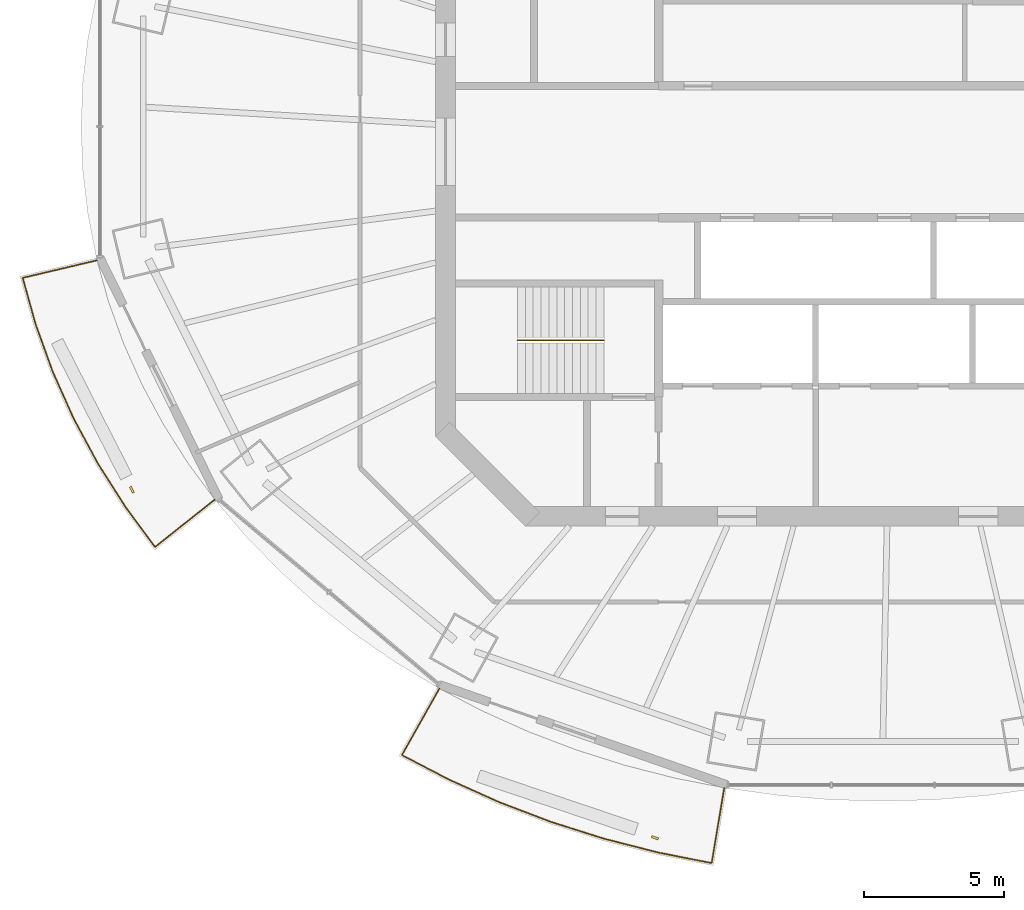
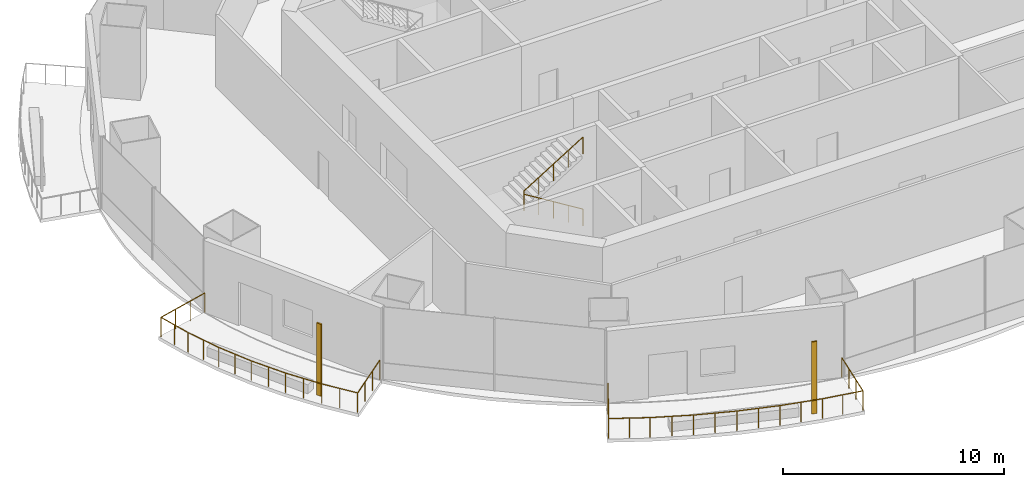
# One storey, part 12 of 16: 3 railings, 2 shading devices.
"""IFC4 building model written with IfcOpenShell, lengths in metres."""

from ifc_helpers import new_model, si_unit, direction, frame, origin, origin_2d, place, context, subcontext, project, spatial, rectangle, circle, extrude, material, material_profile, profile_set, type_object, element, save


model = new_model("IFC4")

# Units and contexts
model_context = context("Model", 3, precision=1e-05, world=origin(), true_north=direction((0.0, 1.0)))
body_context = subcontext(model_context, "Body", "Model", "MODEL_VIEW")
ifc_project = project(units=[si_unit("LENGTHUNIT", "METRE"), si_unit("AREAUNIT", "SQUARE_METRE"), si_unit("VOLUMEUNIT", "CUBIC_METRE"), si_unit("PLANEANGLEUNIT", "RADIAN"), si_unit("MASSUNIT", "GRAM", prefix="KILO")], contexts=[model_context])

# Site, building, storey
site_placement = place(None, origin())
site = spatial("IfcSite", under=ifc_project, at=site_placement, CompositionType="ELEMENT")
building_placement = place(site_placement, origin())
building = spatial("IfcBuilding", under=site, at=building_placement, Name="Marenthal Gate Tower", CompositionType="ELEMENT")
storey_placement = place(building_placement, frame((0.0, 0.0, 301.10009765625)))
storey = spatial("IfcBuildingStorey", under=building, at=storey_placement, Name="L67", CompositionType="ELEMENT", Elevation=301.10009765625)

# Railings
ifc_material_1 = material(Name="Stainless steel", Category="steel")
railing_type_1 = type_object("IfcRailingType", Name="Balcony guard 1100", PredefinedType="GUARDRAIL", material=ifc_material_1)
railing_1_placement = place(storey_placement, frame((-24.2265625, -12.4033203125, 0.0)))
element("IfcRailing", 1, at=railing_1_placement, inside=storey, type_object=railing_type_1, Name="Balcony guard L67 bay 9", PredefinedType="GUARDRAIL", context=body_context, shape_type="SweptSolid", body=[
    extrude(circle(Radius=0.02392578125, at=origin_2d()), frame((0.0, 0.0, 1.076171875), z_axis=(-0.783299764569, -0.621469871648, -0.014719968075), x_axis=(0.621537211848, -0.783384640064, 0.0)), (0.0, 0.0, 1.0), 2.719970703125),
    extrude(circle(Radius=0.02392578125, at=origin_2d()), frame((-2.130615234375, -1.6904296875, 1.0361328125), z_axis=(-0.593189639739, 0.80506276234, 0.0), x_axis=(-0.80506276234, -0.593189639739, 0.0)), (0.0, 0.0, 1.0), 1.772216796875),
    extrude(circle(Radius=0.02392578125, at=origin_2d()), frame((-3.181884765625, -0.263671875, 1.0361328125), z_axis=(-0.536179368299, 0.844104072381, 0.0), x_axis=(-0.844104072381, -0.536179368299, 0.0)), (0.0, 0.0, 1.0), 1.838623046875),
    extrude(circle(Radius=0.02392578125, at=origin_2d()), frame((-4.167724609375, 1.288330078125, 1.0361328125), z_axis=(-0.474067933151, 0.880488270653, 0.0), x_axis=(-0.880488270653, -0.474067933151, 0.0)), (0.0, 0.0, 1.0), 1.826171875),
    extrude(circle(Radius=0.02392578125, at=origin_2d()), frame((-5.033447265625, 2.896240234375, 1.0361328125), z_axis=(-0.408333619035, 0.912832764292, 0.0), x_axis=(-0.912832764292, -0.408333619035, 0.0)), (0.0, 0.0, 1.0), 1.815185546875),
    extrude(circle(Radius=0.02392578125, at=origin_2d()), frame((-5.774658203125, 4.55322265625, 1.0361328125), z_axis=(-0.33909288178, 0.940752899292, 0.0), x_axis=(-0.940752899292, -0.33909288178, 0.0)), (0.0, 0.0, 1.0), 1.8056640625),
    extrude(circle(Radius=0.02392578125, at=origin_2d()), frame((-6.386962890625, 6.251953125, 1.0361328125), z_axis=(-0.268728447288, 0.963215978698, 0.0), x_axis=(-0.963215978698, -0.268728447288, 0.0)), (0.0, 0.0, 1.0), 1.718017578125),
    extrude(circle(Radius=0.02392578125, at=origin_2d()), frame((-6.8486328125, 7.90673828125, 1.0361328125), z_axis=(0.973117172157, 0.229839811666, 0.014718363574), x_axis=(-0.229864710837, 0.973222592582, 0.0)), (0.0, 0.0, 1.0), 2.720458984375),
    extrude(circle(Radius=0.02099609375, at=origin_2d()), origin(), (0.0, 0.0, 1.0), 1.052001953125),
    extrude(circle(Radius=0.02099609375, at=origin_2d()), frame((-0.710205078125, -0.5634765625, -0.013427734375)), (0.0, 0.0, 1.0), 1.052001953125),
    extrude(circle(Radius=0.02099609375, at=origin_2d()), frame((-1.42041015625, -1.126953125, -0.026611328125)), (0.0, 0.0, 1.0), 1.052001953125),
    extrude(circle(Radius=0.02099609375, at=origin_2d()), frame((-2.130615234375, -1.6904296875, -0.0400390625)), (0.0, 0.0, 1.0), 1.052001953125),
    extrude(circle(Radius=0.02099609375, at=origin_2d()), frame((-2.65625, -0.97705078125, -0.0400390625)), (0.0, 0.0, 1.0), 1.052001953125),
    extrude(circle(Radius=0.02099609375, at=origin_2d()), frame((-3.181884765625, -0.263671875, -0.0400390625)), (0.0, 0.0, 1.0), 1.052001953125),
    extrude(circle(Radius=0.02099609375, at=origin_2d()), frame((-3.6748046875, 0.51220703125, -0.0400390625)), (0.0, 0.0, 1.0), 1.052001953125),
    extrude(circle(Radius=0.02099609375, at=origin_2d()), frame((-4.167724609375, 1.288330078125, -0.0400390625)), (0.0, 0.0, 1.0), 1.052001953125),
    extrude(circle(Radius=0.02099609375, at=origin_2d()), frame((-4.6005859375, 2.09228515625, -0.0400390625)), (0.0, 0.0, 1.0), 1.052001953125),
    extrude(circle(Radius=0.02099609375, at=origin_2d()), frame((-5.033447265625, 2.896240234375, -0.0400390625)), (0.0, 0.0, 1.0), 1.052001953125),
    extrude(circle(Radius=0.02099609375, at=origin_2d()), frame((-5.404052734375, 3.724609375, -0.0400390625)), (0.0, 0.0, 1.0), 1.052001953125),
    extrude(circle(Radius=0.02099609375, at=origin_2d()), frame((-5.774658203125, 4.55322265625, -0.0400390625)), (0.0, 0.0, 1.0), 1.052001953125),
    extrude(circle(Radius=0.02099609375, at=origin_2d()), frame((-6.080810546875, 5.402587890625, -0.0400390625)), (0.0, 0.0, 1.0), 1.052001953125),
    extrude(circle(Radius=0.02099609375, at=origin_2d()), frame((-6.386962890625, 6.251953125, -0.0400390625)), (0.0, 0.0, 1.0), 1.052001953125),
    extrude(circle(Radius=0.02099609375, at=origin_2d()), frame((-6.61767578125, 7.079345703125, -0.0400390625)), (0.0, 0.0, 1.0), 1.052001953125),
    extrude(circle(Radius=0.02099609375, at=origin_2d()), frame((-6.8486328125, 7.90673828125, -0.0400390625)), (0.0, 0.0, 1.0), 1.052001953125),
    extrude(circle(Radius=0.02099609375, at=origin_2d()), frame((-5.96630859375, 8.115234375, -0.026611328125)), (0.0, 0.0, 1.0), 1.052001953125),
    extrude(circle(Radius=0.02099609375, at=origin_2d()), frame((-5.083740234375, 8.323486328125, -0.013427734375)), (0.0, 0.0, 1.0), 1.052001953125),
    extrude(circle(Radius=0.02099609375, at=origin_2d()), frame((-4.201416015625, 8.531982421875, 0.0)), (0.0, 0.0, 1.0), 1.052001953125),
])
railing_2_placement = place(storey_placement, frame((-6.0576171875, -22.6826171875, 0.0)))
element("IfcRailing", 2, at=railing_2_placement, inside=storey, type_object=railing_type_1, Name="Balcony guard L67 bay 11", PredefinedType="GUARDRAIL", context=body_context, shape_type="SweptSolid", body=[
    extrude(circle(Radius=0.02392578125, at=origin_2d()), frame((0.0, 0.0, 1.076171875), z_axis=(-0.165225230724, -0.986146026723, -0.014718597414), x_axis=(0.986252861995, -0.165243130591, 0.0)), (0.0, 0.0, 1.0), 2.72021484375),
    extrude(circle(Radius=0.02392578125, at=origin_2d()), frame((-0.449462890625, -2.6826171875, 1.0361328125), z_axis=(-0.981054729466, 0.193730786897, 0.0), x_axis=(-0.193730786897, -0.981054729466, 0.0)), (0.0, 0.0, 1.0), 1.929443359375),
    extrude(circle(Radius=0.02392578125, at=origin_2d()), frame((-2.34228515625, -2.308837890625, 1.0361328125), z_axis=(-0.968925174526, 0.247354009811, 0.0), x_axis=(-0.247354009811, -0.968925174526, 0.0)), (0.0, 0.0, 1.0), 2.001708984375),
    extrude(circle(Radius=0.02392578125, at=origin_2d()), frame((-4.28173828125, -1.813720703125, 1.0361328125), z_axis=(-0.95337689514, 0.301782199297, 0.0), x_axis=(-0.301782199297, -0.95337689514, 0.0)), (0.0, 0.0, 1.0), 1.99267578125),
    extrude(circle(Radius=0.02392578125, at=origin_2d()), frame((-6.181396484375, -1.21240234375, 1.0361328125), z_axis=(-0.934386218754, 0.356261693426, 0.0), x_axis=(-0.356261693426, -0.934386218754, 0.0)), (0.0, 0.0, 1.0), 1.98193359375),
    extrude(circle(Radius=0.02392578125, at=origin_2d()), frame((-8.033203125, -0.50634765625, 1.0361328125), z_axis=(-0.91201888662, 0.410148205467, 0.0), x_axis=(-0.410148205467, -0.91201888662, 0.0)), (0.0, 0.0, 1.0), 1.9697265625),
    extrude(circle(Radius=0.02392578125, at=origin_2d()), frame((-9.82958984375, 0.301513671875, 1.0361328125), z_axis=(-0.886647463559, 0.46244597021, 0.0), x_axis=(-0.46244597021, -0.886647463559, 0.0)), (0.0, 0.0, 1.0), 1.876708984375),
    extrude(circle(Radius=0.02392578125, at=origin_2d()), frame((-11.49365234375, 1.16943359375, 1.0361328125), z_axis=(0.490391346697, 0.871378035337, 0.014718920362), x_axis=(-0.871472441229, 0.490444476143, 0.0)), (0.0, 0.0, 1.0), 2.72021484375),
    extrude(circle(Radius=0.02099609375, at=origin_2d()), origin(), (0.0, 0.0, 1.0), 1.052001953125),
    extrude(circle(Radius=0.02099609375, at=origin_2d()), frame((-0.14990234375, -0.894287109375, -0.013427734375)), (0.0, 0.0, 1.0), 1.052001953125),
    extrude(circle(Radius=0.02099609375, at=origin_2d()), frame((-0.299560546875, -1.788330078125, -0.026611328125)), (0.0, 0.0, 1.0), 1.052001953125),
    extrude(circle(Radius=0.02099609375, at=origin_2d()), frame((-0.449462890625, -2.6826171875, -0.0400390625)), (0.0, 0.0, 1.0), 1.052001953125),
    extrude(circle(Radius=0.02099609375, at=origin_2d()), frame((-1.39599609375, -2.49560546875, -0.0400390625)), (0.0, 0.0, 1.0), 1.052001953125),
    extrude(circle(Radius=0.02099609375, at=origin_2d()), frame((-2.34228515625, -2.308837890625, -0.0400390625)), (0.0, 0.0, 1.0), 1.052001953125),
    extrude(circle(Radius=0.02099609375, at=origin_2d()), frame((-3.31201171875, -2.061279296875, -0.0400390625)), (0.0, 0.0, 1.0), 1.052001953125),
    extrude(circle(Radius=0.02099609375, at=origin_2d()), frame((-4.28173828125, -1.813720703125, -0.0400390625)), (0.0, 0.0, 1.0), 1.052001953125),
    extrude(circle(Radius=0.02099609375, at=origin_2d()), frame((-5.2314453125, -1.51318359375, -0.0400390625)), (0.0, 0.0, 1.0), 1.052001953125),
    extrude(circle(Radius=0.02099609375, at=origin_2d()), frame((-6.181396484375, -1.21240234375, -0.0400390625)), (0.0, 0.0, 1.0), 1.052001953125),
    extrude(circle(Radius=0.02099609375, at=origin_2d()), frame((-7.107421875, -0.859375, -0.0400390625)), (0.0, 0.0, 1.0), 1.052001953125),
    extrude(circle(Radius=0.02099609375, at=origin_2d()), frame((-8.033203125, -0.50634765625, -0.0400390625)), (0.0, 0.0, 1.0), 1.052001953125),
    extrude(circle(Radius=0.02099609375, at=origin_2d()), frame((-8.931396484375, -0.1025390625, -0.0400390625)), (0.0, 0.0, 1.0), 1.052001953125),
    extrude(circle(Radius=0.02099609375, at=origin_2d()), frame((-9.82958984375, 0.301513671875, -0.0400390625)), (0.0, 0.0, 1.0), 1.052001953125),
    extrude(circle(Radius=0.02099609375, at=origin_2d()), frame((-10.66162109375, 0.7353515625, -0.0400390625)), (0.0, 0.0, 1.0), 1.052001953125),
    extrude(circle(Radius=0.02099609375, at=origin_2d()), frame((-11.49365234375, 1.16943359375, -0.0400390625)), (0.0, 0.0, 1.0), 1.052001953125),
    extrude(circle(Radius=0.02099609375, at=origin_2d()), frame((-11.049072265625, 1.95947265625, -0.026611328125)), (0.0, 0.0, 1.0), 1.052001953125),
    extrude(circle(Radius=0.02099609375, at=origin_2d()), frame((-10.604248046875, 2.749755859375, -0.013427734375)), (0.0, 0.0, 1.0), 1.052001953125),
    extrude(circle(Radius=0.02099609375, at=origin_2d()), frame((-10.15966796875, 3.539794921875, 0.0)), (0.0, 0.0, 1.0), 1.052001953125),
])
ifc_material_2 = material(Name="Stainless steel", Category="steel")
railing_type_2 = type_object("IfcRailingType", Name="Stair handrail", PredefinedType="HANDRAIL", material=ifc_material_2)
railing_3_placement = place(storey_placement, frame((-10.35009765625, -6.72509765625, 0.1728515625)))
element("IfcRailing", 3, at=railing_3_placement, inside=storey, type_object=railing_type_2, Name="Handrail ST2", PredefinedType="HANDRAIL", context=body_context, shape_type="SweptSolid", body=[
    extrude(circle(Radius=0.0224609375, at=origin_2d()), frame((0.0, 0.0, 0.927490234375), z_axis=(-0.850816621229, 0.0, 0.525462726595), x_axis=(0.0, -1.0, 0.0)), (0.0, 0.0, 1.0), 3.619873046875),
    extrude(circle(Radius=0.0224609375, at=origin_2d()), frame((-3.079833984375, 0.0, 2.82958984375), z_axis=(0.0, 0.0, 1.0), x_axis=(1.0, 0.0, 0.0)), (0.0, 0.0, 1.0), 0.1728515625),
    extrude(circle(Radius=0.0224609375, at=origin_2d()), frame((-3.079833984375, 0.0, 3.00244140625), z_axis=(0.850816621229, 0.0, 0.525462726595), x_axis=(0.0, 1.0, 0.0)), (0.0, 0.0, 1.0), 3.619873046875),
    extrude(circle(Radius=0.02001953125, at=origin_2d()), origin(), (0.0, 0.0, 1.0), 0.905029296875),
    extrude(circle(Radius=0.02001953125, at=origin_2d()), frame((-0.77001953125, 0.0, 0.4755859375)), (0.0, 0.0, 1.0), 0.905029296875),
    extrude(circle(Radius=0.02001953125, at=origin_2d()), frame((-1.5400390625, 0.0, 0.951171875)), (0.0, 0.0, 1.0), 0.905029296875),
    extrude(circle(Radius=0.02001953125, at=origin_2d()), frame((-2.309814453125, 0.0, 1.426513671875)), (0.0, 0.0, 1.0), 0.905029296875),
    extrude(circle(Radius=0.02001953125, at=origin_2d()), frame((-3.079833984375, 0.0, 1.902099609375)), (0.0, 0.0, 1.0), 0.905029296875),
    extrude(circle(Radius=0.02001953125, at=origin_2d()), frame((-3.079833984375, 0.0, 2.074951171875)), (0.0, 0.0, 1.0), 0.905029296875),
    extrude(circle(Radius=0.02001953125, at=origin_2d()), frame((-2.309814453125, 0.0, 2.550537109375)), (0.0, 0.0, 1.0), 0.905029296875),
    extrude(circle(Radius=0.02001953125, at=origin_2d()), frame((-1.5400390625, 0.0, 3.02587890625)), (0.0, 0.0, 1.0), 0.905029296875),
    extrude(circle(Radius=0.02001953125, at=origin_2d()), frame((-0.77001953125, 0.0, 3.50146484375)), (0.0, 0.0, 1.0), 0.905029296875),
    extrude(circle(Radius=0.02001953125, at=origin_2d()), frame((0.0, 0.0, 3.97705078125)), (0.0, 0.0, 1.0), 0.905029296875),
])

# Shading devices
ifc_material_3 = material(Name="Terracotta", Category="masonry")
ifc_material_profile = material_profile(ifc_material_3, rectangle(XDim=0.25, YDim=0.080078125, at=origin_2d()), Name="Terracotta baguette 250x80")
ifc_profile_set = profile_set([ifc_material_profile], Name="Terracotta")
shading_device_type = type_object("IfcShadingDeviceType", Name="Terracotta BAGUETTE SCREEN 250x80", PredefinedType="USERDEFINED", material=ifc_profile_set)
for number, where, z_axis, x_axis, name in (
    (4, (-27.18505859375, -12.05078125, -0.0400390625), (0.0, 0.0, 1.0), (0.441623511691, -0.897200464735, 0.0), "Terracotta BAGUETTE L67 bay 9R"),
    (5, (-8.529541015625, -24.462646484375, -0.0400390625), (0.0, 0.0, 1.0), (0.944279584145, -0.329144446962, 0.0), "Terracotta BAGUETTE L67 bay 11R"),
):
    element("IfcShadingDevice", number, at=place(storey_placement, frame(where, z_axis=z_axis, x_axis=x_axis)), inside=storey, type_object=shading_device_type, Name=name, ObjectType="BAGUETTE SCREEN", PredefinedType="USERDEFINED", context=body_context, shape_type="SweptSolid", body=[
        extrude(rectangle(XDim=0.25, YDim=0.080078125, at=origin_2d()), origin(), (0.0, 0.0, 1.0), 3.969970703125),
    ])

save(model, "model.ifc")
